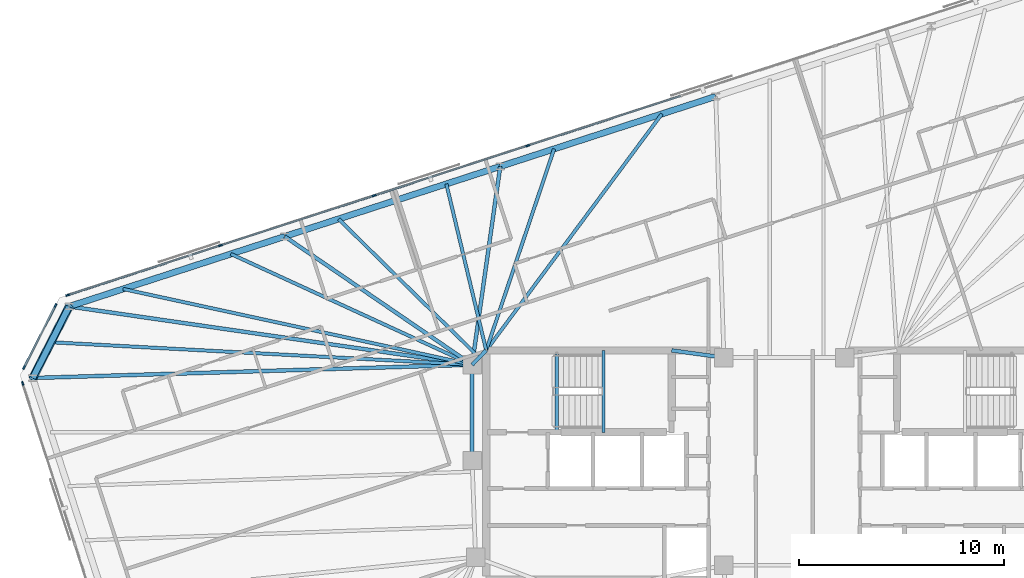
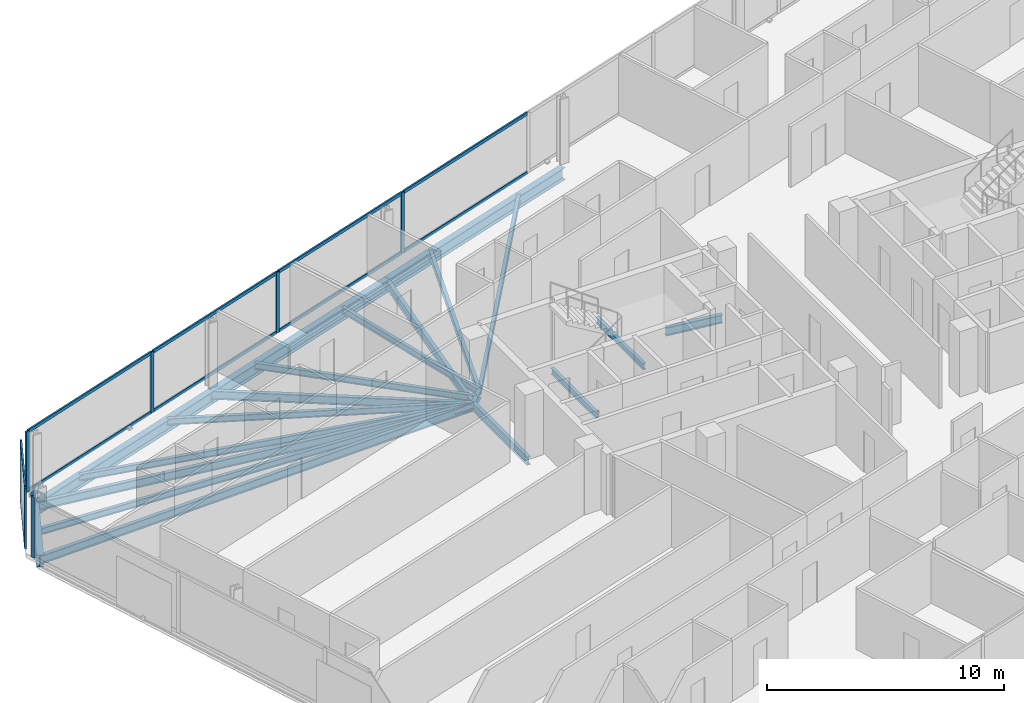
# One storey, part 9 of 20: 20 beams, 18 members, 3 elements without a shape of their own.
"""IFC4 building model written with IfcOpenShell, lengths in metres."""

import ifcopenshell
import ifcopenshell.guid

model = None  # the IFC model being written
_history = None  # IfcOwnerHistory: only IFC2X3 demands one
_inside = {}  # id of a spatial element -> (the spatial element, [elements in it])
_under = {}  # id of a project, library or spatial element -> (it, [spatial elements below it])
_declared = {}  # id of a project -> (the project, [libraries it declares])
_typed = {}  # id of a type object -> (the type object, [elements of that type])
_made_of = {}  # id of a material, layer set ... -> (it, [elements and type objects made of it])


def new_model(schema):
    """Start an empty IFC model of exactly this schema.

    Asked for "IFC4X3", IfcOpenShell would pick the latest addendum, in which some entities
    have other attributes; the version numbers below select the first issue.
    IFC2X3 requires an IfcOwnerHistory on every rooted entity: one is made here for all.
    """
    global model, _history
    if schema == "IFC4X3":
        model = ifcopenshell.file(schema_version=(4, 3, 0, 0))
    else:
        model = ifcopenshell.file(schema=schema)
    _inside.clear()
    _under.clear()
    _declared.clear()
    _typed.clear()
    _made_of.clear()
    _history = None
    if model.schema == "IFC2X3":
        org = make("IfcOrganization", Name="unknown")
        user = make(
            "IfcPersonAndOrganization",
            ThePerson=make("IfcPerson", FamilyName="unknown"),
            TheOrganization=org,
        )
        app = make(
            "IfcApplication",
            ApplicationDeveloper=org,
            Version="unknown",
            ApplicationFullName="unknown",
            ApplicationIdentifier="unknown",
        )
        _history = make(
            "IfcOwnerHistory",
            OwningUser=user,
            OwningApplication=app,
            ChangeAction="ADDED",
            CreationDate=0,
        )
    return model


def make(cls, **values):
    """One entity of the class cls with the attributes given. An attribute that is None is left unset."""
    return model.create_entity(
        cls, **{name: value for name, value in values.items() if value is not None}
    )


def rooted(cls, **values):
    """An entity with a GlobalId (a new one), such as an element, a storey or a relation."""
    return make(cls, GlobalId=ifcopenshell.guid.new(), OwnerHistory=_history, **values)


def si_unit(unit_type, name, prefix=None):
    """IfcSIUnit, for example si_unit("LENGTHUNIT", "METRE", prefix="MILLI")."""
    return make("IfcSIUnit", UnitType=unit_type, Prefix=prefix, Name=name)


def assignment(units):
    """IfcUnitAssignment: the units of a project."""
    return None if units is None else make("IfcUnitAssignment", Units=units)


def point(xyz):
    """IfcCartesianPoint."""
    return None if xyz is None else make("IfcCartesianPoint", Coordinates=xyz)


def direction(xyz):
    """IfcDirection."""
    return None if xyz is None else make("IfcDirection", DirectionRatios=xyz)


def frame(location, z_axis=None, x_axis=None):
    """IfcAxis2Placement3D, a coordinate frame: its origin and axes. An axis left out is left unset."""
    return make(
        "IfcAxis2Placement3D",
        Location=point(location),
        Axis=direction(z_axis),
        RefDirection=direction(x_axis),
    )


def frame_2d(location, x_axis=None):
    """IfcAxis2Placement2D, a coordinate frame in the plane: its origin and x axis."""
    return make(
        "IfcAxis2Placement2D", Location=point(location), RefDirection=direction(x_axis)
    )


def origin():
    """The frame at (0, 0, 0) with its axes left unset."""
    return frame((0.0, 0.0, 0.0))


def origin_2d():
    """The frame at (0, 0) in the plane with its x axis left unset."""
    return frame_2d((0.0, 0.0))


def place(relative_to, where):
    """IfcLocalPlacement: puts the frame where relative to a parent placement (None: the world)."""
    return make(
        "IfcLocalPlacement", PlacementRelTo=relative_to, RelativePlacement=where
    )


def context(
    kind, dimensions, precision=None, world=None, true_north=None, identifier=None
):
    """IfcGeometricRepresentationContext, for example the 3D "Model" context."""
    return make(
        "IfcGeometricRepresentationContext",
        ContextIdentifier=identifier,
        ContextType=kind,
        CoordinateSpaceDimension=dimensions,
        Precision=precision,
        WorldCoordinateSystem=world,
        TrueNorth=true_north,
    )


def subcontext(parent, identifier, kind, view, scale=None):
    """IfcGeometricRepresentationSubContext, for example "Body" below "Model"."""
    return make(
        "IfcGeometricRepresentationSubContext",
        ContextIdentifier=identifier,
        ContextType=kind,
        ParentContext=parent,
        TargetScale=scale,
        TargetView=view,
    )


def project(units=None, contexts=None):
    """IfcProject with its units and contexts."""
    return rooted(
        "IfcProject",
        Name="project",
        RepresentationContexts=contexts,
        UnitsInContext=assignment(units),
    )


def spatial(cls, under=None, at=None, **own):
    """A site, building, storey or space (cls), placed at a placement, below another one or the project."""
    s = rooted(cls, ObjectPlacement=at, **own)
    if under is not None:
        _under.setdefault(under.id(), (under, []))[1].append(s)
    return s


def profile(cls, at=None, kind="AREA", **sizes):
    """A parametric profile (cls). Its sizes go by their IFC names, for example OverallWidth=200.0."""
    return make(cls, ProfileType=kind, Position=at, **sizes)


def rectangle(**sizes):
    """IfcRectangleProfileDef."""
    return profile("IfcRectangleProfileDef", **sizes)


def hollow_circle(**sizes):
    """IfcCircleHollowProfileDef."""
    return profile("IfcCircleHollowProfileDef", **sizes)


def i_section(**sizes):
    """IfcIShapeProfileDef."""
    return profile("IfcIShapeProfileDef", **sizes)


def extrude(swept, where, along, depth):
    """IfcExtrudedAreaSolid: the profile swept, set in the frame where, extruded along a direction by depth."""
    return make(
        "IfcExtrudedAreaSolid",
        SweptArea=swept,
        Position=where,
        ExtrudedDirection=direction(along),
        Depth=depth,
    )


def shape(context_of_items, identifier, shape_type, items):
    """IfcShapeRepresentation: the items that make up one representation, for example the "Body"."""
    return make(
        "IfcShapeRepresentation",
        ContextOfItems=context_of_items,
        RepresentationIdentifier=identifier,
        RepresentationType=shape_type,
        Items=items,
    )


def material(Name=None, Category=None):
    """IfcMaterial."""
    return make("IfcMaterial", Name=Name, Category=Category)


def material_profile(
    of_material, cross_section, Name=None, Category=None, Priority=None
):
    """IfcMaterialProfile: a cross section and its material."""
    return make(
        "IfcMaterialProfile",
        Name=Name,
        Material=of_material,
        Profile=cross_section,
        Priority=Priority,
        Category=Category,
    )


def profile_set(profiles, Name=None, composite=None):
    """IfcMaterialProfileSet."""
    return make(
        "IfcMaterialProfileSet",
        Name=Name,
        MaterialProfiles=profiles,
        CompositeProfile=composite,
    )


def made_of(thing, what):
    """Note that an element or type object is made of a material, layer set ...; save() writes the relation."""
    if what is not None:
        _made_of.setdefault(what.id(), (what, []))[1].append(thing)
    return thing


def type_object(cls, material=None, **own):
    """A type object (cls), such as IfcWallType, which elements share."""
    return made_of(rooted(cls, **own), material)


def element(
    cls,
    number,
    at=None,
    inside=None,
    cuts=None,
    type_object=None,
    material=None,
    context=None,
    identifier="Body",
    shape_type=None,
    held_by="IfcProductDefinitionShape",
    body=None,
    shapes=None,
    **own,
):
    """One element of the class cls, such as IfcWall. Its Tag is "e" and its number.

    at: its placement. inside: the storey or other place that contains it. cuts: it is an
    opening in that element (IfcRelVoidsElement). A single representation is given by context,
    identifier, shape_type and body (its items); several are given by shapes. held_by: the class
    of the entity that holds the representations. save() writes the other relations.
    """
    e = rooted(cls, Tag="e%d" % number, ObjectPlacement=at, **own)
    if body is not None:
        shapes = [shape(context, identifier, shape_type, body)]
    if shapes is not None:
        e.Representation = make(held_by, Representations=shapes)
    if inside is not None:
        _inside.setdefault(inside.id(), (inside, []))[1].append(e)
    if cuts is not None:
        rooted(
            "IfcRelVoidsElement", RelatingBuildingElement=cuts, RelatedOpeningElement=e
        )
    if type_object is not None:
        _typed.setdefault(type_object.id(), (type_object, []))[1].append(e)
    return made_of(e, material)


def aggregate(whole, parts):
    """IfcRelAggregates: a whole, such as a stair, and the parts it consists of."""
    return rooted("IfcRelAggregates", RelatingObject=whole, RelatedObjects=parts)


def save(model, path):
    """Write the relations noted so far, then the file.

    IfcRelAggregates (storeys below a building ...), IfcRelContainedInSpatialStructure (elements
    in a storey), IfcRelDefinesByType, IfcRelAssociatesMaterial and IfcRelDeclares: one each for
    every whole, place, type object, material and project.
    """
    for whole, parts in _under.values():
        aggregate(whole, parts)
    for where, things in _inside.values():
        rooted(
            "IfcRelContainedInSpatialStructure",
            RelatedElements=things,
            RelatingStructure=where,
        )
    for kind, things in _typed.values():
        rooted("IfcRelDefinesByType", RelatedObjects=things, RelatingType=kind)
    for what, things in _made_of.values():
        rooted("IfcRelAssociatesMaterial", RelatedObjects=things, RelatingMaterial=what)
    for by, libraries in _declared.values():
        rooted("IfcRelDeclares", RelatingContext=by, RelatedDefinitions=libraries)
    model.write(path)


model = new_model("IFC4")

# Units and contexts
model_context = context("Model", 3, precision=1e-05, world=origin(), true_north=direction((0.0, 1.0)))
body_context = subcontext(model_context, "Body", "Model", "MODEL_VIEW")
ifc_project = project(units=[si_unit("LENGTHUNIT", "METRE"), si_unit("AREAUNIT", "SQUARE_METRE"), si_unit("VOLUMEUNIT", "CUBIC_METRE"), si_unit("PLANEANGLEUNIT", "RADIAN"), si_unit("MASSUNIT", "GRAM", prefix="KILO")], contexts=[model_context])

# Site, building, storey
site_placement = place(None, origin())
site = spatial("IfcSite", under=ifc_project, at=site_placement, CompositionType="ELEMENT")
building_placement = place(site_placement, origin())
building = spatial("IfcBuilding", under=site, at=building_placement, Name="Menara Jurai Vektor", CompositionType="ELEMENT")
storey_placement = place(building_placement, frame((0.0, 0.0, 237.699951171875)))
storey = spatial("IfcBuildingStorey", under=building, at=storey_placement, Name="L63", CompositionType="ELEMENT", Elevation=237.699951171875)

# Curtain wall, members
ifc_material_1 = material(Name="Anodised Pale Aluminium & Low-E Double Glazing", Category="aluminium")
curtain_wall_type = type_object("IfcCurtainWallType", Name="CW-BLK4", PredefinedType="NOTDEFINED", material=ifc_material_1)
curtain_wall_1_placement = place(storey_placement, origin())
curtain_wall_1 = element("IfcCurtainWall", 1, at=curtain_wall_1_placement, inside=storey, type_object=curtain_wall_type, Name="Unitised Curtain Wall L63 F05", PredefinedType="NOTDEFINED")
ifc_material_2 = material(Name="Anodised Pale Aluminium Mullion", Category="aluminium")
ifc_material_profile_1 = material_profile(ifc_material_2, rectangle(XDim=0.080078125, YDim=0.18994140625, at=origin_2d()), Name="ALU MUL 80x190")
ifc_profile_set_1 = profile_set([ifc_material_profile_1], Name="Anodised Pale Aluminium Mullion")
member_type_1 = type_object("IfcMemberType", Name="CW-BLK4-MUL", PredefinedType="MULLION", material=ifc_profile_set_1)
member_1_placement = place(storey_placement, frame((-12.532958984375, 15.601806640625, 0.0), z_axis=(0.0, 0.0, 1.0), x_axis=(0.309017344167, -0.951056402641, 0.0)))
member_1 = element("IfcMember", 2, at=member_1_placement, type_object=member_type_1, Name="CW-04 mullion 5", PredefinedType="MULLION", context=body_context, shape_type="SweptSolid", body=[
    extrude(rectangle(XDim=0.080078125, YDim=0.18994140625, at=origin_2d()), origin(), (0.0, 0.0, 1.0), 3.125),
])
member_2_placement = place(storey_placement, frame((-20.0380859375, 13.163330078125, 0.0), z_axis=(0.0, 0.0, 1.0), x_axis=(0.309017344167, -0.951056402641, 0.0)))
member_2 = element("IfcMember", 3, at=member_2_placement, type_object=member_type_1, Name="CW-04 mullion 6", PredefinedType="MULLION", context=body_context, shape_type="SweptSolid", body=[
    extrude(rectangle(XDim=0.080078125, YDim=0.18994140625, at=origin_2d()), origin(), (0.0, 0.0, 1.0), 3.125),
])
member_3_placement = place(storey_placement, frame((-27.543212890625, 10.724609375, 0.0), z_axis=(0.0, 0.0, 1.0), x_axis=(0.309017344167, -0.951056402641, 0.0)))
member_3 = element("IfcMember", 4, at=member_3_placement, type_object=member_type_1, Name="CW-04 mullion 7", PredefinedType="MULLION", context=body_context, shape_type="SweptSolid", body=[
    extrude(rectangle(XDim=0.080078125, YDim=0.18994140625, at=origin_2d()), origin(), (0.0, 0.0, 1.0), 3.125),
])
member_4_placement = place(storey_placement, frame((-35.010498046875, 8.29833984375, 0.0), z_axis=(0.0, 0.0, 1.0), x_axis=(0.309017344167, -0.951056402641, 0.0)))
member_4 = element("IfcMember", 5, at=member_4_placement, type_object=member_type_1, Name="CW-04 mullion 8", PredefinedType="MULLION", context=body_context, shape_type="SweptSolid", body=[
    extrude(rectangle(XDim=0.080078125, YDim=0.18994140625, at=origin_2d()), origin(), (0.0, 0.0, 1.0), 3.125),
])

curtain_wall_2_placement = place(storey_placement, origin())
curtain_wall_2 = element("IfcCurtainWall", 6, at=curtain_wall_2_placement, inside=storey, type_object=curtain_wall_type, Name="Unitised Curtain Wall L63 F06", PredefinedType="NOTDEFINED")
member_5_placement = place(storey_placement, frame((-35.6005859375, 7.79443359375, 0.0), z_axis=(0.0, 0.0, 1.0), x_axis=(0.89100750243, -0.453988579828, 0.0)))
member_5 = element("IfcMember", 7, at=member_5_placement, type_object=member_type_1, Name="CW-04 mullion 1", PredefinedType="MULLION", context=body_context, shape_type="SweptSolid", body=[
    extrude(rectangle(XDim=0.080078125, YDim=0.18994140625, at=origin_2d()), origin(), (0.0, 0.0, 1.0), 3.125),
])
member_6_placement = place(storey_placement, frame((-37.145263671875, 4.7626953125, 0.0), z_axis=(0.0, 0.0, 1.0), x_axis=(0.89100750243, -0.453988579828, 0.0)))
member_6 = element("IfcMember", 8, at=member_6_placement, type_object=member_type_1, Name="CW-04 mullion 2", PredefinedType="MULLION", context=body_context, shape_type="SweptSolid", body=[
    extrude(rectangle(XDim=0.080078125, YDim=0.18994140625, at=origin_2d()), origin(), (0.0, 0.0, 1.0), 3.125),
])

# Curtain wall, member
curtain_wall_3_placement = place(storey_placement, origin())
curtain_wall_3 = element("IfcCurtainWall", 9, at=curtain_wall_3_placement, inside=storey, type_object=curtain_wall_type, Name="Unitised Curtain Wall L63 F07", PredefinedType="NOTDEFINED")
member_7_placement = place(storey_placement, frame((-37.206298828125, 3.989013671875, 0.0), z_axis=(0.0, 0.0, 1.0), x_axis=(0.95105668295, 0.309016481464, 0.0)))
member_7 = element("IfcMember", 10, at=member_7_placement, type_object=member_type_1, Name="CW-04 mullion 1", PredefinedType="MULLION", context=body_context, shape_type="SweptSolid", body=[
    extrude(rectangle(XDim=0.080078125, YDim=0.18994140625, at=origin_2d()), origin(), (0.0, 0.0, 1.0), 3.125),
])
aggregate(curtain_wall_3, [member_7])

# Member
ifc_material_3 = material(Name="Anodised Pale Aluminium Transom", Category="aluminium")
ifc_material_profile_2 = material_profile(ifc_material_3, rectangle(XDim=0.080078125, YDim=0.1650390625, at=origin_2d()), Name="ALU TRN 80x165")
ifc_profile_set_2 = profile_set([ifc_material_profile_2], Name="Anodised Pale Aluminium Transom")
member_type_2 = type_object("IfcMemberType", Name="CW-BLK4-TRN", PredefinedType="USERDEFINED", material=ifc_profile_set_2)
member_8_placement = place(storey_placement, frame((-5.06591796875, 18.028076171875, 0.0400390625), z_axis=(-0.95105634578, -0.309017519167, 0.0), x_axis=(0.309017519167, -0.95105634578, 0.0)))
member_8 = element("IfcMember", 11, at=member_8_placement, type_object=member_type_2, Name="CW-04 transom 4.1", ObjectType="TRANSOM", PredefinedType="USERDEFINED", context=body_context, shape_type="SweptSolid", body=[
    extrude(rectangle(XDim=0.080078125, YDim=0.1650390625, at=origin_2d()), origin(), (0.0, 0.0, 1.0), 7.811279296875),
])

member_9_placement = place(storey_placement, frame((-5.06591796875, 18.028076171875, 3.0849609375), z_axis=(-0.95105634578, -0.309017519167, 0.0), x_axis=(0.309017519167, -0.95105634578, 0.0)))
member_9 = element("IfcMember", 12, at=member_9_placement, type_object=member_type_2, Name="CW-04 transom 4.2", ObjectType="TRANSOM", PredefinedType="USERDEFINED", context=body_context, shape_type="SweptSolid", body=[
    extrude(rectangle(XDim=0.080078125, YDim=0.1650390625, at=origin_2d()), origin(), (0.0, 0.0, 1.0), 7.811279296875),
])

member_10_placement = place(storey_placement, frame((-12.571044921875, 15.589599609375, 0.0400390625), z_axis=(-0.95104715984, -0.309045789099, 0.0), x_axis=(0.309045789099, -0.95104715984, 0.0)))
member_10 = element("IfcMember", 13, at=member_10_placement, type_object=member_type_2, Name="CW-04 transom 5.1", ObjectType="TRANSOM", PredefinedType="USERDEFINED", context=body_context, shape_type="SweptSolid", body=[
    extrude(rectangle(XDim=0.080078125, YDim=0.1650390625, at=origin_2d()), origin(), (0.0, 0.0, 1.0), 7.811279296875),
])

member_11_placement = place(storey_placement, frame((-12.571044921875, 15.589599609375, 3.0849609375), z_axis=(-0.95104715984, -0.309045789099, 0.0), x_axis=(0.309045789099, -0.95104715984, 0.0)))
member_11 = element("IfcMember", 14, at=member_11_placement, type_object=member_type_2, Name="CW-04 transom 5.2", ObjectType="TRANSOM", PredefinedType="USERDEFINED", context=body_context, shape_type="SweptSolid", body=[
    extrude(rectangle(XDim=0.080078125, YDim=0.1650390625, at=origin_2d()), origin(), (0.0, 0.0, 1.0), 7.811279296875),
])

member_12_placement = place(storey_placement, frame((-20.076171875, 13.15087890625, 0.0400390625), z_axis=(-0.951059330237, -0.309008333817, 0.0), x_axis=(0.309008333817, -0.951059330237, 0.0)))
member_12 = element("IfcMember", 15, at=member_12_placement, type_object=member_type_2, Name="CW-04 transom 6.1", ObjectType="TRANSOM", PredefinedType="USERDEFINED", context=body_context, shape_type="SweptSolid", body=[
    extrude(rectangle(XDim=0.080078125, YDim=0.1650390625, at=origin_2d()), origin(), (0.0, 0.0, 1.0), 7.8115234375),
])

member_13_placement = place(storey_placement, frame((-20.076171875, 13.15087890625, 3.0849609375), z_axis=(-0.951059330237, -0.309008333817, 0.0), x_axis=(0.309008333817, -0.951059330237, 0.0)))
member_13 = element("IfcMember", 16, at=member_13_placement, type_object=member_type_2, Name="CW-04 transom 6.2", ObjectType="TRANSOM", PredefinedType="USERDEFINED", context=body_context, shape_type="SweptSolid", body=[
    extrude(rectangle(XDim=0.080078125, YDim=0.1650390625, at=origin_2d()), origin(), (0.0, 0.0, 1.0), 7.8115234375),
])

member_14_placement = place(storey_placement, frame((-27.581298828125, 10.71240234375, 0.0400390625), z_axis=(-0.951052997543, -0.309027823771, 0.0), x_axis=(0.309027823771, -0.951052997543, 0.0)))
member_14 = element("IfcMember", 17, at=member_14_placement, type_object=member_type_2, Name="CW-04 transom 7.1", ObjectType="TRANSOM", PredefinedType="USERDEFINED", context=body_context, shape_type="SweptSolid", body=[
    extrude(rectangle(XDim=0.080078125, YDim=0.1650390625, at=origin_2d()), origin(), (0.0, 0.0, 1.0), 7.771484375),
])

member_15_placement = place(storey_placement, frame((-27.581298828125, 10.71240234375, 3.0849609375), z_axis=(-0.951052997543, -0.309027823771, 0.0), x_axis=(0.309027823771, -0.951052997543, 0.0)))
member_15 = element("IfcMember", 18, at=member_15_placement, type_object=member_type_2, Name="CW-04 transom 7.2", ObjectType="TRANSOM", PredefinedType="USERDEFINED", context=body_context, shape_type="SweptSolid", body=[
    extrude(rectangle(XDim=0.080078125, YDim=0.1650390625, at=origin_2d()), origin(), (0.0, 0.0, 1.0), 7.771484375),
])

aggregate(curtain_wall_1, [member_1, member_2, member_3, member_4, member_8, member_9, member_10, member_11, member_12, member_13, member_14, member_15])

member_16_placement = place(storey_placement, frame((-35.61865234375, 7.7587890625, 0.0400390625), z_axis=(-0.454019339544, -0.890991828986, 0.0), x_axis=(0.890991828986, -0.454019339544, 0.0)))
member_16 = element("IfcMember", 19, at=member_16_placement, type_object=member_type_2, Name="CW-04 transom 1.1", ObjectType="TRANSOM", PredefinedType="USERDEFINED", context=body_context, shape_type="SweptSolid", body=[
    extrude(rectangle(XDim=0.080078125, YDim=0.1650390625, at=origin_2d()), origin(), (0.0, 0.0, 1.0), 3.32275390625),
])

member_17_placement = place(storey_placement, frame((-35.61865234375, 7.7587890625, 3.0849609375), z_axis=(-0.454019339544, -0.890991828986, 0.0), x_axis=(0.890991828986, -0.454019339544, 0.0)))
member_17 = element("IfcMember", 20, at=member_17_placement, type_object=member_type_2, Name="CW-04 transom 1.2", ObjectType="TRANSOM", PredefinedType="USERDEFINED", context=body_context, shape_type="SweptSolid", body=[
    extrude(rectangle(XDim=0.080078125, YDim=0.1650390625, at=origin_2d()), origin(), (0.0, 0.0, 1.0), 3.32275390625),
])

aggregate(curtain_wall_2, [member_5, member_6, member_16, member_17])

# Beams
ifc_material_4 = material(Name="Steel S355", Category="steel")
ifc_material_profile_3 = material_profile(ifc_material_4, i_section(OverallWidth=0.18505859375, OverallDepth=0.429931640625, WebThickness=0.010986328125, FlangeThickness=0.01806640625, at=origin_2d()), Name="PG 430x185x76")
ifc_profile_set_3 = profile_set([ifc_material_profile_3], Name="Steel S355")
beam_type_1 = type_object("IfcBeamType", Name="STR-BM-430", PredefinedType="BEAM", material=ifc_profile_set_3)
beam_1_placement = place(storey_placement, frame((-15.25, 4.89990234375, -0.43994140625), z_axis=(0.701871936926, 0.712303154672, 0.0), x_axis=(-0.712303154672, 0.701871936926, 0.0)))
element("IfcBeam", 21, at=beam_1_placement, inside=storey, type_object=beam_type_1, Name="Core Ring Header Girder L63-CHW-N1", PredefinedType="BEAM", context=body_context, shape_type="SweptSolid", body=[
    extrude(i_section(OverallWidth=0.18505859375, OverallDepth=0.429931640625, WebThickness=0.010986328125, FlangeThickness=0.01806640625, at=origin_2d()), origin(), (0.0, 0.0, 1.0), 0.98291015625),
])
beam_2_placement = place(storey_placement, frame((-5.5, 5.60009765625, -0.43994140625), z_axis=(0.990706818608, -0.136014703483, 0.0), x_axis=(0.136014703483, 0.990706818608, 0.0)))
element("IfcBeam", 22, at=beam_2_placement, inside=storey, type_object=beam_type_1, Name="Core Ring Header Girder L63-CHW-N2", PredefinedType="BEAM", context=body_context, shape_type="SweptSolid", body=[
    extrude(i_section(OverallWidth=0.18505859375, OverallDepth=0.429931640625, WebThickness=0.010986328125, FlangeThickness=0.01806640625, at=origin_2d()), origin(), (0.0, 0.0, 1.0), 2.573974609375),
])
beam_3_placement = place(storey_placement, frame((-15.25, 0.219970703125, -0.43994140625), z_axis=(0.0, 1.0, 0.0), x_axis=(-1.0, 0.0, 0.0)))
element("IfcBeam", 23, at=beam_3_placement, inside=storey, type_object=beam_type_1, Name="Core Ring Header Girder L63-CHW-W1", PredefinedType="BEAM", context=body_context, shape_type="SweptSolid", body=[
    extrude(i_section(OverallWidth=0.18505859375, OverallDepth=0.429931640625, WebThickness=0.010986328125, FlangeThickness=0.01806640625, at=origin_2d()), origin(), (0.0, 0.0, 1.0), 4.679931640625),
])
beam_4_placement = place(storey_placement, frame((-13.875, 14.58740234375, -0.43994140625), z_axis=(-0.140527035582, -0.990076841599, 0.0), x_axis=(0.990076841599, -0.140527035582, 0.0)))
element("IfcBeam", 24, at=beam_4_placement, inside=storey, type_object=beam_type_1, Name="Radial Floor Girder L63-N4", PredefinedType="BEAM", context=body_context, shape_type="SweptSolid", body=[
    extrude(i_section(OverallWidth=0.18505859375, OverallDepth=0.429931640625, WebThickness=0.010986328125, FlangeThickness=0.01806640625, at=origin_2d()), origin(), (0.0, 0.0, 1.0), 9.78466796875),
])
beam_5_placement = place(storey_placement, frame((-24.404296875, 11.166259765625, -0.43994140625), z_axis=(0.825185786768, -0.564861414257, 0.0), x_axis=(0.564861414257, 0.825185786768, 0.0)))
element("IfcBeam", 25, at=beam_5_placement, inside=storey, type_object=beam_type_1, Name="Radial Floor Girder L63-N5", PredefinedType="BEAM", context=body_context, shape_type="SweptSolid", body=[
    extrude(i_section(OverallWidth=0.18505859375, OverallDepth=0.429931640625, WebThickness=0.010986328125, FlangeThickness=0.01806640625, at=origin_2d()), origin(), (0.0, 0.0, 1.0), 11.093505859375),
])
beam_6_placement = place(storey_placement, frame((-34.93359375, 7.7451171875, -0.43994140625), z_axis=(0.989713916117, -0.14306070126, 0.0), x_axis=(0.14306070126, 0.989713916117, 0.0)))
element("IfcBeam", 26, at=beam_6_placement, inside=storey, type_object=beam_type_1, Name="Radial Floor Girder L63-N6", PredefinedType="BEAM", context=body_context, shape_type="SweptSolid", body=[
    extrude(i_section(OverallWidth=0.18505859375, OverallDepth=0.429931640625, WebThickness=0.010986328125, FlangeThickness=0.01806640625, at=origin_2d()), origin(), (0.0, 0.0, 1.0), 19.88818359375),
])
beam_7_placement = place(storey_placement, frame((-36.71337890625, 4.251953125, -0.43994140625), z_axis=(0.999544635638, 0.030174846589, 0.0), x_axis=(-0.030174846589, 0.999544635638, 0.0)))
element("IfcBeam", 27, at=beam_7_placement, inside=storey, type_object=beam_type_1, Name="Radial Floor Girder L63-W1", PredefinedType="BEAM", context=body_context, shape_type="SweptSolid", body=[
    extrude(i_section(OverallWidth=0.18505859375, OverallDepth=0.429931640625, WebThickness=0.010986328125, FlangeThickness=0.01806640625, at=origin_2d()), origin(), (0.0, 0.0, 1.0), 21.47314453125),
])

# Member
ifc_material_5 = material(Name="Steel S460", Category="steel")
ifc_material_profile_4 = material_profile(ifc_material_5, hollow_circle(Radius=0.203125, WallThickness=0.01611328125, at=origin_2d()), Name="CHS 406.4x16")
ifc_profile_set_4 = profile_set([ifc_material_profile_4], Name="Steel S460")
member_type_3 = type_object("IfcMemberType", Name="STR-BR-406", PredefinedType="BRACE", material=ifc_profile_set_4)
member_18_placement = place(storey_placement, frame((-34.93359375, 7.7451171875, 0.150146484375), z_axis=(-0.377225079071, -0.740375367811, 0.556368182465), x_axis=(0.891013832566, -0.453976155955, 0.0)))
element("IfcMember", 28, at=member_18_placement, inside=storey, type_object=member_type_3, Name="Exoskeleton Corner Brace L63-3", PredefinedType="BRACE", context=body_context, shape_type="SweptSolid", body=[
    extrude(hollow_circle(Radius=0.203125, WallThickness=0.01611328125, at=origin_2d()), origin(), (0.0, 0.0, 1.0), 4.718017578125),
])

# Beams
ifc_material_profile_5 = material_profile(ifc_material_4, i_section(OverallWidth=0.1650390625, OverallDepth=0.330078125, WebThickness=0.009033203125, FlangeThickness=0.013916015625, at=origin_2d()), Name="PG 330x165x46")
ifc_profile_set_5 = profile_set([ifc_material_profile_5], Name="Steel S355")
beam_type_2 = type_object("IfcBeamType", Name="STR-JS-330", PredefinedType="JOIST", material=ifc_profile_set_5)
beam_8_placement = place(storey_placement, frame((-5.97802734375, 17.1533203125, -0.389892578125), z_axis=(-0.59630776033, -0.802755912448, 0.0), x_axis=(0.802755912448, -0.59630776033, 0.0)))
element("IfcBeam", 29, at=beam_8_placement, inside=storey, type_object=beam_type_2, Name="Radial Secondary Floor Joist L63-JS21", PredefinedType="JOIST", context=body_context, shape_type="SweptSolid", body=[
    extrude(i_section(OverallWidth=0.1650390625, OverallDepth=0.330078125, WebThickness=0.009033203125, FlangeThickness=0.013916015625, at=origin_2d()), origin(), (0.0, 0.0, 1.0), 14.391845703125),
])
beam_9_placement = place(storey_placement, frame((-11.24267578125, 15.44287109375, -0.389892578125), z_axis=(-0.319385076217, -0.94762501713, 0.0), x_axis=(0.94762501713, -0.319385076217, 0.0)))
element("IfcBeam", 30, at=beam_9_placement, inside=storey, type_object=beam_type_2, Name="Radial Secondary Floor Joist L63-JS22", PredefinedType="JOIST", context=body_context, shape_type="SweptSolid", body=[
    extrude(i_section(OverallWidth=0.1650390625, OverallDepth=0.330078125, WebThickness=0.009033203125, FlangeThickness=0.013916015625, at=origin_2d()), origin(), (0.0, 0.0, 1.0), 10.38671875),
])
beam_10_placement = place(storey_placement, frame((-16.50732421875, 13.732177734375, -0.389892578125), z_axis=(0.23287158907, -0.972507492518, 0.0), x_axis=(0.972507492518, 0.23287158907, 0.0)))
element("IfcBeam", 31, at=beam_10_placement, inside=storey, type_object=beam_type_2, Name="Radial Secondary Floor Joist L63-JS23", PredefinedType="JOIST", context=body_context, shape_type="SweptSolid", body=[
    extrude(i_section(OverallWidth=0.1650390625, OverallDepth=0.330078125, WebThickness=0.009033203125, FlangeThickness=0.013916015625, at=origin_2d()), origin(), (0.0, 0.0, 1.0), 8.362060546875),
])
beam_11_placement = place(storey_placement, frame((-21.77197265625, 12.021484375, -0.389892578125), z_axis=(0.7121893722, -0.701987391714, 0.0), x_axis=(0.701987391714, 0.7121893722, 0.0)))
element("IfcBeam", 32, at=beam_11_placement, inside=storey, type_object=beam_type_2, Name="Radial Secondary Floor Joist L63-JS24", PredefinedType="JOIST", context=body_context, shape_type="SweptSolid", body=[
    extrude(i_section(OverallWidth=0.1650390625, OverallDepth=0.330078125, WebThickness=0.009033203125, FlangeThickness=0.013916015625, at=origin_2d()), origin(), (0.0, 0.0, 1.0), 9.64404296875),
])
beam_12_placement = place(storey_placement, frame((-27.03662109375, 10.31103515625, -0.389892578125), z_axis=(0.908803804095, -0.417223735738, 0.0), x_axis=(0.417223735738, 0.908803804095, 0.0)))
element("IfcBeam", 33, at=beam_12_placement, inside=storey, type_object=beam_type_2, Name="Radial Secondary Floor Joist L63-JS25", PredefinedType="JOIST", context=body_context, shape_type="SweptSolid", body=[
    extrude(i_section(OverallWidth=0.1650390625, OverallDepth=0.330078125, WebThickness=0.009033203125, FlangeThickness=0.013916015625, at=origin_2d()), origin(), (0.0, 0.0, 1.0), 12.969482421875),
])
beam_13_placement = place(storey_placement, frame((-32.30126953125, 8.600341796875, -0.389892578125), z_axis=(0.977251946396, -0.212081666498, 0.0), x_axis=(0.212081666498, 0.977251946396, 0.0)))
element("IfcBeam", 34, at=beam_13_placement, inside=storey, type_object=beam_type_2, Name="Radial Secondary Floor Joist L63-JS26", PredefinedType="JOIST", context=body_context, shape_type="SweptSolid", body=[
    extrude(i_section(OverallWidth=0.1650390625, OverallDepth=0.330078125, WebThickness=0.009033203125, FlangeThickness=0.013916015625, at=origin_2d()), origin(), (0.0, 0.0, 1.0), 17.4482421875),
])
beam_14_placement = place(storey_placement, frame((-35.823486328125, 5.99853515625, -0.389892578125), z_axis=(0.998577239708, -0.053324444086, 0.0), x_axis=(0.053324444086, 0.998577239708, 0.0)))
element("IfcBeam", 35, at=beam_14_placement, inside=storey, type_object=beam_type_2, Name="Radial Secondary Floor Joist L63-JS27", PredefinedType="JOIST", context=body_context, shape_type="SweptSolid", body=[
    extrude(i_section(OverallWidth=0.1650390625, OverallDepth=0.330078125, WebThickness=0.009033203125, FlangeThickness=0.013916015625, at=origin_2d()), origin(), (0.0, 0.0, 1.0), 20.602783203125),
])
ifc_material_profile_6 = material_profile(ifc_material_4, i_section(OverallWidth=0.1650390625, OverallDepth=0.302978515625, WebThickness=0.006103515625, FlangeThickness=0.010009765625, FilletRadius=0.009033203125, at=origin_2d()), Name="UKB 305x165x40")
ifc_profile_set_6 = profile_set([ifc_material_profile_6], Name="Steel S355")
beam_type_3 = type_object("IfcBeamType", Name="STR-LN-305", PredefinedType="LINTEL", material=ifc_profile_set_6)
beam_15_placement = place(storey_placement, frame((-11.1201171875, 1.60009765625, -0.37646484375), z_axis=(0.0, 1.0, 0.0), x_axis=(-1.0, 0.0, 0.0)))
element("IfcBeam", 36, at=beam_15_placement, inside=storey, type_object=beam_type_3, Name="Stair Well Floor Trimmer ST1 L63", PredefinedType="LINTEL", context=body_context, shape_type="SweptSolid", body=[
    extrude(i_section(OverallWidth=0.1650390625, OverallDepth=0.302978515625, WebThickness=0.006103515625, FlangeThickness=0.010009765625, FilletRadius=0.009033203125, at=origin_2d()), origin(), (0.0, 0.0, 1.0), 3.81982421875),
])
beam_16_placement = place(storey_placement, frame((-8.830078125, 1.60009765625, 1.323486328125), z_axis=(0.0, 1.0, 0.0), x_axis=(-1.0, 0.0, 0.0)))
element("IfcBeam", 37, at=beam_16_placement, inside=storey, type_object=beam_type_3, Name="Stair Half-Landing Nosing Trimmer ST1-1 L63", PredefinedType="LINTEL", context=body_context, shape_type="SweptSolid", body=[
    extrude(i_section(OverallWidth=0.1650390625, OverallDepth=0.302978515625, WebThickness=0.006103515625, FlangeThickness=0.010009765625, FilletRadius=0.009033203125, at=origin_2d()), origin(), (0.0, 0.0, 1.0), 4.0),
])
ifc_material_profile_7 = material_profile(ifc_material_4, i_section(OverallWidth=0.306884765625, OverallDepth=0.6201171875, WebThickness=0.013916015625, FlangeThickness=0.02392578125, FilletRadius=0.01708984375, at=origin_2d()), Name="UKB 610x305x179")
ifc_profile_set_7 = profile_set([ifc_material_profile_7], Name="Steel S355")
beam_type_4 = type_object("IfcBeamType", Name="STR-SP-610", PredefinedType="SPANDREL", material=ifc_profile_set_7)
for number, where, z_axis, x_axis, name in (
    (38, (-3.345703125, 18.008544921875, -0.534912109375), (-0.951057401967, -0.309014268544, 0.0), (0.309014268544, -0.951057401967, 0.0), "Exoskeleton Spandrel Beam L63-13"),
    (39, (-13.875, 14.58740234375, -0.534912109375), (-0.951057401967, -0.309014268544, 0.0), (0.309014268544, -0.951057401967, 0.0), "Exoskeleton Spandrel Beam L63-14"),
    (40, (-24.404296875, 11.166259765625, -0.534912109375), (-0.951057401967, -0.309014268544, 0.0), (0.309014268544, -0.951057401967, 0.0), "Exoskeleton Spandrel Beam L63-15"),
):
    element("IfcBeam", number, at=place(storey_placement, frame(where, z_axis=z_axis, x_axis=x_axis)), inside=storey, type_object=beam_type_4, Name=name, PredefinedType="SPANDREL", context=body_context, shape_type="SweptSolid", body=[
        extrude(i_section(OverallWidth=0.306884765625, OverallDepth=0.6201171875, WebThickness=0.013916015625, FlangeThickness=0.02392578125, FilletRadius=0.01708984375, at=origin_2d()), origin(), (0.0, 0.0, 1.0), 11.071044921875),
    ])
beam_17_placement = place(storey_placement, frame((-34.93359375, 7.7451171875, -0.534912109375), z_axis=(-0.453976155955, -0.891013832566, 0.0), x_axis=(0.891013832566, -0.453976155955, 0.0)))
element("IfcBeam", 41, at=beam_17_placement, inside=storey, type_object=beam_type_4, Name="Exoskeleton Spandrel Beam L63-16", PredefinedType="SPANDREL", context=body_context, shape_type="SweptSolid", body=[
    extrude(i_section(OverallWidth=0.306884765625, OverallDepth=0.6201171875, WebThickness=0.013916015625, FlangeThickness=0.02392578125, FilletRadius=0.01708984375, at=origin_2d()), origin(), (0.0, 0.0, 1.0), 3.92041015625),
])

save(model, "model.ifc")
